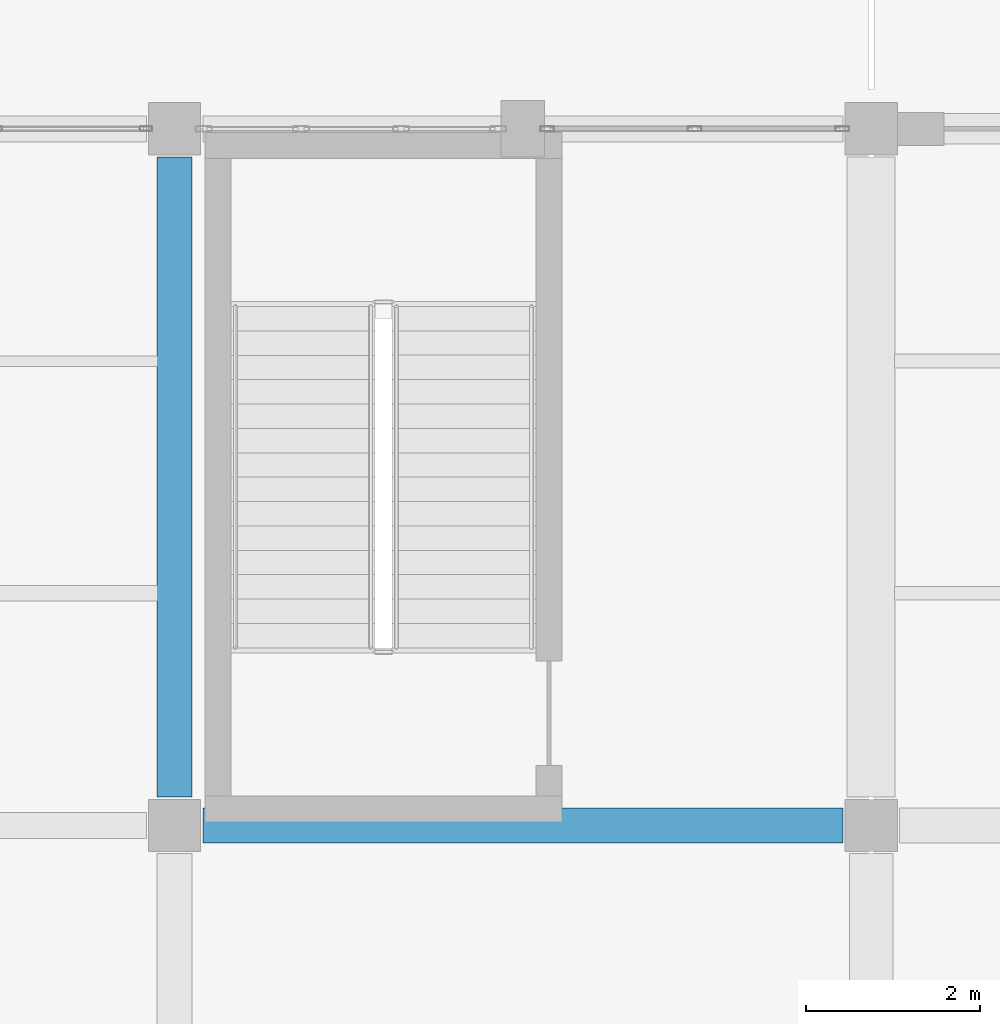
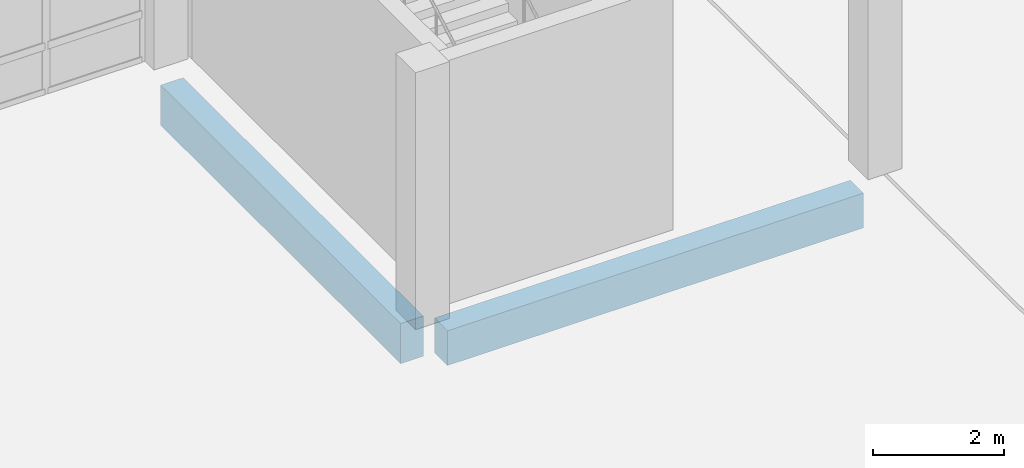
# One storey, part 46 of 156: 2 beams.
"""IFC4 building model written with IfcOpenShell, lengths in metres."""

from ifc_helpers import new_model, si_unit, direction, frame, origin, origin_2d, place, context, subcontext, project, spatial, rectangle, extrude, material, material_profile, profile_set, type_object, element, save


model = new_model("IFC4")

# Units and contexts
model_context = context("Model", 3, precision=1e-05, world=origin(), true_north=direction((0.0, 1.0)))
body_context = subcontext(model_context, "Body", "Model", "MODEL_VIEW")
ifc_project = project(units=[si_unit("LENGTHUNIT", "METRE"), si_unit("AREAUNIT", "SQUARE_METRE"), si_unit("VOLUMEUNIT", "CUBIC_METRE"), si_unit("PLANEANGLEUNIT", "RADIAN"), si_unit("MASSUNIT", "GRAM", prefix="KILO")], contexts=[model_context])

# Site, building, storey
site_placement = place(None, origin())
site = spatial("IfcSite", under=ifc_project, at=site_placement, CompositionType="ELEMENT")
building_placement = place(site_placement, origin())
building = spatial("IfcBuilding", under=site, at=building_placement, Name="Luwemba Playhouse", CompositionType="ELEMENT")
storey_placement = place(building_placement, origin())
storey = spatial("IfcBuildingStorey", under=building, at=storey_placement, Name="L00", CompositionType="ELEMENT", Elevation=0.0)

# Beams
ifc_material = material(Name="Concrete C40/50", Category="concrete")
ifc_material_profile_1 = material_profile(ifc_material, rectangle(XDim=0.39990234375, YDim=0.64990234375, at=origin_2d()))
ifc_profile_set_1 = profile_set([ifc_material_profile_1], Name="Concrete C40/50")
beam_type_1 = type_object("IfcBeamType", Name="BM-RB02", PredefinedType="BEAM", material=ifc_profile_set_1)
beam_1_placement = place(storey_placement, frame((124.324951171875, 19.0, -0.625), z_axis=(1.0, 0.0, 0.0), x_axis=(0.0, 1.0, 0.0)))
element("IfcBeam", 1, at=beam_1_placement, inside=storey, type_object=beam_type_1, Name="L00 grid girder 0217", PredefinedType="BEAM", context=body_context, shape_type="SweptSolid", body=[
    extrude(rectangle(XDim=0.39990234375, YDim=0.64990234375, at=origin_2d()), origin(), (0.0, 0.0, 1.0), 7.35009765625),
])
ifc_material_profile_2 = material_profile(ifc_material, rectangle(XDim=0.39990234375, YDim=0.75, at=origin_2d()))
ifc_profile_set_2 = profile_set([ifc_material_profile_2], Name="Concrete C40/50")
beam_type_2 = type_object("IfcBeamType", Name="BM-RB03", PredefinedType="BEAM", material=ifc_profile_set_2)
beam_2_placement = place(storey_placement, frame((124.0, 19.324951171875, -0.675048828125), z_axis=(0.0, 1.0, 0.0), x_axis=(-1.0, 0.0, 0.0)))
element("IfcBeam", 2, at=beam_2_placement, inside=storey, type_object=beam_type_2, Name="L00 transverse girder 0235", PredefinedType="BEAM", context=body_context, shape_type="SweptSolid", body=[
    extrude(rectangle(XDim=0.39990234375, YDim=0.75, at=origin_2d()), origin(), (0.0, 0.0, 1.0), 7.35009765625),
])

save(model, "model.ifc")
